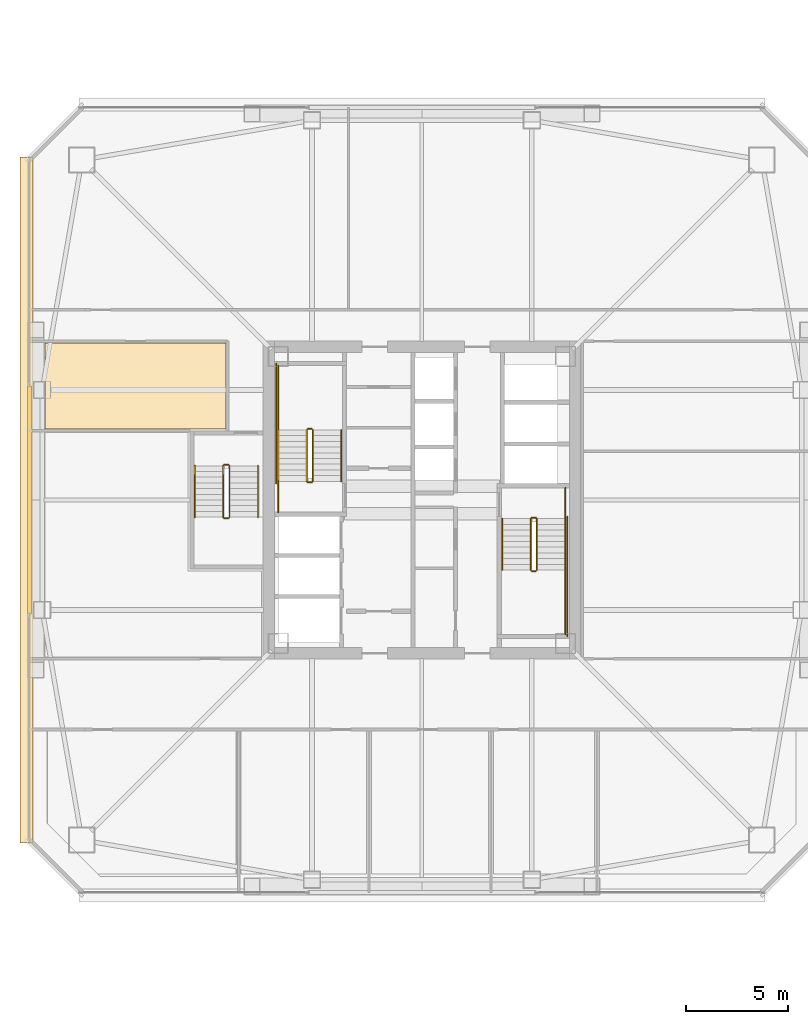
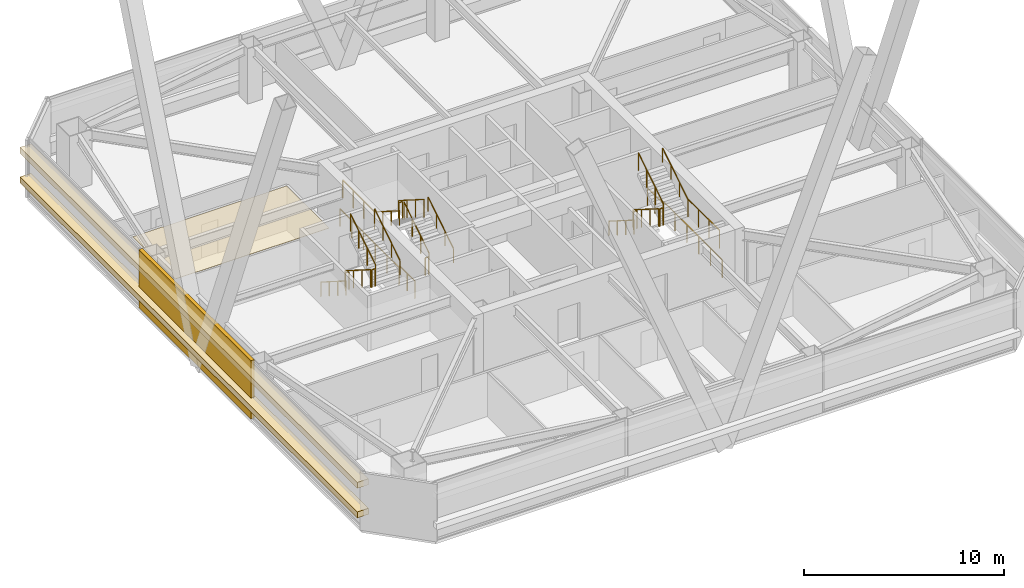
# One storey, part 46 of 50: 24 railings, 4 coverings.
"""IFC4 building model written with IfcOpenShell, lengths in metres."""

from ifc_helpers import new_model, si_unit, direction, frame, origin, origin_2d, place, context, subcontext, project, spatial, polyline, rectangle, outline, extrude, material, layer, layer_set, type_object, element, save


model = new_model("IFC4")

# Units and contexts
model_context = context("Model", 3, precision=1e-05, world=origin(), true_north=direction((0.0, 1.0)))
body_context = subcontext(model_context, "Body", "Model", "MODEL_VIEW")
ifc_project = project(units=[si_unit("LENGTHUNIT", "METRE"), si_unit("AREAUNIT", "SQUARE_METRE"), si_unit("VOLUMEUNIT", "CUBIC_METRE"), si_unit("PLANEANGLEUNIT", "RADIAN"), si_unit("MASSUNIT", "GRAM", prefix="KILO")], contexts=[model_context])

# Site, building, storey
site_placement = place(None, origin())
site = spatial("IfcSite", under=ifc_project, at=site_placement, CompositionType="ELEMENT")
building_placement = place(site_placement, origin())
building = spatial("IfcBuilding", under=site, at=building_placement, Name="Tashvorn Skyway Center", CompositionType="ELEMENT")
storey_placement = place(building_placement, frame((0.0, 0.0, 114.39990234375)))
storey = spatial("IfcBuildingStorey", under=building, at=storey_placement, Name="L30", CompositionType="ELEMENT", Elevation=114.39990234375)

# Coverings
ifc_material_1 = material(Name="Precast concrete C40/50", Category="concrete")
ifc_layer_1 = layer(ifc_material_1, 0.199951171875)
ifc_layer_set_1 = layer_set([ifc_layer_1], Name="Precast concrete C40/50")
covering_type_1 = type_object("IfcCoveringType", Name="COV-BRACE-CLAD", PredefinedType="CLADDING", material=ifc_layer_set_1)
covering_1_placement = place(storey_placement, frame((22.719970703125, 32.0, 0.0), z_axis=(0.0, 0.0, 1.0), x_axis=(0.0, 1.0, 0.0)))
element("IfcCovering", 1, at=covering_1_placement, inside=storey, type_object=covering_type_1, Name="Tower 1 L30 West Unitised Curtain Wall Mega-Brace Cladding Band 1", PredefinedType="CLADDING", context=body_context, shape_type="SweptSolid", body=[
    extrude(rectangle(XDim=11.1865234375, YDim=0.199951171875, at=origin_2d()), origin(), (0.0, 0.0, 1.0), 3.550048828125),
])
ifc_material_2 = material(Name="Mineral-fibre acoustic ceiling tile on suspended grid")
ifc_layer_2 = layer(ifc_material_2, 0.02001953125)
ifc_layer_set_2 = layer_set([ifc_layer_2], Name="Mineral-fibre acoustic ceiling tile on suspended grid")
covering_type_2 = type_object("IfcCoveringType", Name="COV-CEIL-20", PredefinedType="CEILING", material=ifc_layer_set_2)
covering_2_placement = place(storey_placement, frame((0.0, 0.0, 2.703125)))
element("IfcCovering", 2, at=covering_2_placement, inside=storey, type_object=covering_type_2, Name="Tower 1 L30 Reading Lounge Acoustic Ceiling", PredefinedType="CEILING", context=body_context, shape_type="SweptSolid", body=[
    extrude(outline(polyline([(32.3701171875, 39.719970703125), (32.3701171875, 35.47998046875), (23.5, 35.47998046875), (23.5, 39.719970703125), (32.3701171875, 39.719970703125)])), origin(), (0.0, 0.0, 1.0), 0.02001953125),
])
ifc_material_3 = material(Name="Perforated ceramic-coated bronze aluminium solar screen", Category="aluminium")
ifc_layer_3 = layer(ifc_material_3, 0.85009765625)
ifc_layer_set_3 = layer_set([ifc_layer_3], Name="Perforated ceramic-coated bronze aluminium solar screen")
covering_type_3 = type_object("IfcCoveringType", Name="COV-SOLAR-BAND", PredefinedType="CLADDING", material=ifc_layer_set_3)
for number, where, z_axis, x_axis, name in (
    (3, (22.580078125, 32.0, 0.919921875), (0.0, 0.0, 1.0), (0.0, 1.0, 0.0), "L30 Perforated Ceramic-Metal Solar Screen Louvre Band West 1"),
    (4, (22.580078125, 32.0, 2.72021484375), (0.0, 0.0, 1.0), (0.0, 1.0, 0.0), "L30 Perforated Ceramic-Metal Solar Screen Louvre Band West 2"),
):
    element("IfcCovering", number, at=place(storey_placement, frame(where, z_axis=z_axis, x_axis=x_axis)), inside=storey, type_object=covering_type_3, Name=name, PredefinedType="CLADDING", context=body_context, shape_type="SweptSolid", body=[
        extrude(rectangle(XDim=33.679931640625, YDim=0.639892578125, at=origin_2d()), origin(), (0.0, 0.0, 1.0), 0.360107421875),
    ])

# Railings
ifc_material_4 = material(Name="Brushed stainless steel 316", Category="steel")
railing_type_1 = type_object("IfcRailingType", Name="RAIL-HAND-920", PredefinedType="HANDRAIL", material=ifc_material_4)
railing_1_placement = place(storey_placement, frame((38.050048828125, 32.919921875, 0.177490234375)))
element("IfcRailing", 5, at=railing_1_placement, inside=storey, type_object=railing_type_1, Name="L30 ST-T1-1 stair handrail 1", PredefinedType="HANDRAIL", context=body_context, shape_type="SweptSolid", body=[
    extrude(rectangle(XDim=0.048095703125, YDim=0.048095703125, at=origin_2d()), frame((0.0, 0.0, 0.8759765625), z_axis=(0.0, 0.84456994832, 0.535445237532), x_axis=(-1.0, 0.0, 0.0)), (0.0, 0.0, 1.0), 2.98388671875),
    extrude(rectangle(XDim=0.0419921875, YDim=0.0419921875, at=origin_2d()), origin(), (0.0, 0.0, 1.0), 0.851806640625),
    extrude(rectangle(XDim=0.0419921875, YDim=0.0419921875, at=origin_2d()), frame((0.0, 0.840087890625, 0.532470703125)), (0.0, 0.0, 1.0), 0.851806640625),
    extrude(rectangle(XDim=0.0419921875, YDim=0.0419921875, at=origin_2d()), frame((0.0, 1.679931640625, 1.065185546875)), (0.0, 0.0, 1.0), 0.851806640625),
    extrude(rectangle(XDim=0.0419921875, YDim=0.0419921875, at=origin_2d()), frame((0.0, 2.52001953125, 1.59765625)), (0.0, 0.0, 1.0), 0.851806640625),
])
railing_2_placement = place(storey_placement, frame((34.949951171875, 35.43994140625, 1.95263671875)))
element("IfcRailing", 6, at=railing_2_placement, inside=storey, type_object=railing_type_1, Name="L30 ST-T1-1 stair handrail 2", PredefinedType="HANDRAIL", context=body_context, shape_type="SweptSolid", body=[
    extrude(rectangle(XDim=0.048095703125, YDim=0.048095703125, at=origin_2d()), frame((0.0, 0.0, 0.8759765625), z_axis=(0.0, -0.84460694969, 0.535386869969), x_axis=(1.0, 0.0, 0.0)), (0.0, 0.0, 1.0), 2.983642578125),
    extrude(rectangle(XDim=0.0419921875, YDim=0.0419921875, at=origin_2d()), origin(), (0.0, 0.0, 1.0), 0.851806640625),
    extrude(rectangle(XDim=0.0419921875, YDim=0.0419921875, at=origin_2d()), frame((0.0, -0.840087890625, 0.532470703125)), (0.0, 0.0, 1.0), 0.851806640625),
    extrude(rectangle(XDim=0.0419921875, YDim=0.0419921875, at=origin_2d()), frame((0.0, -1.679931640625, 1.06494140625)), (0.0, 0.0, 1.0), 0.851806640625),
    extrude(rectangle(XDim=0.0419921875, YDim=0.0419921875, at=origin_2d()), frame((0.0, -2.52001953125, 1.597412109375)), (0.0, 0.0, 1.0), 0.851806640625),
])
railing_3_placement = place(storey_placement, frame((45.949951171875, 31.080078125, 0.177490234375)))
element("IfcRailing", 7, at=railing_3_placement, inside=storey, type_object=railing_type_1, Name="L30 ST-T1-2 stair handrail 1", PredefinedType="HANDRAIL", context=body_context, shape_type="SweptSolid", body=[
    extrude(rectangle(XDim=0.048095703125, YDim=0.048095703125, at=origin_2d()), frame((0.0, 0.0, 0.8759765625), z_axis=(0.0, -0.84456994832, 0.535445237532), x_axis=(1.0, 0.0, 0.0)), (0.0, 0.0, 1.0), 2.98388671875),
    extrude(rectangle(XDim=0.0419921875, YDim=0.0419921875, at=origin_2d()), origin(), (0.0, 0.0, 1.0), 0.851806640625),
    extrude(rectangle(XDim=0.0419921875, YDim=0.0419921875, at=origin_2d()), frame((0.0, -0.840087890625, 0.532470703125)), (0.0, 0.0, 1.0), 0.851806640625),
    extrude(rectangle(XDim=0.0419921875, YDim=0.0419921875, at=origin_2d()), frame((0.0, -1.679931640625, 1.065185546875)), (0.0, 0.0, 1.0), 0.851806640625),
    extrude(rectangle(XDim=0.0419921875, YDim=0.0419921875, at=origin_2d()), frame((0.0, -2.52001953125, 1.59765625)), (0.0, 0.0, 1.0), 0.851806640625),
])
railing_4_placement = place(storey_placement, frame((49.050048828125, 28.56005859375, 1.95263671875)))
element("IfcRailing", 8, at=railing_4_placement, inside=storey, type_object=railing_type_1, Name="L30 ST-T1-2 stair handrail 2", PredefinedType="HANDRAIL", context=body_context, shape_type="SweptSolid", body=[
    extrude(rectangle(XDim=0.048095703125, YDim=0.048095703125, at=origin_2d()), frame((0.0, 0.0, 0.8759765625), z_axis=(0.0, 0.84460694969, 0.535386869969), x_axis=(-1.0, 0.0, 0.0)), (0.0, 0.0, 1.0), 2.983642578125),
    extrude(rectangle(XDim=0.0419921875, YDim=0.0419921875, at=origin_2d()), origin(), (0.0, 0.0, 1.0), 0.851806640625),
    extrude(rectangle(XDim=0.0419921875, YDim=0.0419921875, at=origin_2d()), frame((0.0, 0.840087890625, 0.532470703125)), (0.0, 0.0, 1.0), 0.851806640625),
    extrude(rectangle(XDim=0.0419921875, YDim=0.0419921875, at=origin_2d()), frame((0.0, 1.679931640625, 1.06494140625)), (0.0, 0.0, 1.0), 0.851806640625),
    extrude(rectangle(XDim=0.0419921875, YDim=0.0419921875, at=origin_2d()), frame((0.0, 2.52001953125, 1.597412109375)), (0.0, 0.0, 1.0), 0.851806640625),
])
railing_5_placement = place(storey_placement, frame((30.85009765625, 33.679931640625, 0.177490234375)))
element("IfcRailing", 9, at=railing_5_placement, inside=storey, type_object=railing_type_1, Name="L30 ST-T1-3 stair handrail 1", PredefinedType="HANDRAIL", context=body_context, shape_type="SweptSolid", body=[
    extrude(rectangle(XDim=0.048095703125, YDim=0.048095703125, at=origin_2d()), frame((0.0, 0.0, 0.8759765625), z_axis=(0.0, -0.84456994832, 0.535445237532), x_axis=(1.0, 0.0, 0.0)), (0.0, 0.0, 1.0), 2.98388671875),
    extrude(rectangle(XDim=0.0419921875, YDim=0.0419921875, at=origin_2d()), origin(), (0.0, 0.0, 1.0), 0.851806640625),
    extrude(rectangle(XDim=0.0419921875, YDim=0.0419921875, at=origin_2d()), frame((0.0, -0.840087890625, 0.532470703125)), (0.0, 0.0, 1.0), 0.851806640625),
    extrude(rectangle(XDim=0.0419921875, YDim=0.0419921875, at=origin_2d()), frame((0.0, -1.679931640625, 1.065185546875)), (0.0, 0.0, 1.0), 0.851806640625),
    extrude(rectangle(XDim=0.0419921875, YDim=0.0419921875, at=origin_2d()), frame((0.0, -2.52001953125, 1.59765625)), (0.0, 0.0, 1.0), 0.851806640625),
])
railing_6_placement = place(storey_placement, frame((33.949951171875, 31.159912109375, 1.95263671875)))
element("IfcRailing", 10, at=railing_6_placement, inside=storey, type_object=railing_type_1, Name="L30 ST-T1-3 stair handrail 2", PredefinedType="HANDRAIL", context=body_context, shape_type="SweptSolid", body=[
    extrude(rectangle(XDim=0.048095703125, YDim=0.048095703125, at=origin_2d()), frame((0.0, 0.0, 0.8759765625), z_axis=(0.0, 0.84460694969, 0.535386869969), x_axis=(-1.0, 0.0, 0.0)), (0.0, 0.0, 1.0), 2.983642578125),
    extrude(rectangle(XDim=0.0419921875, YDim=0.0419921875, at=origin_2d()), origin(), (0.0, 0.0, 1.0), 0.851806640625),
    extrude(rectangle(XDim=0.0419921875, YDim=0.0419921875, at=origin_2d()), frame((0.0, 0.840087890625, 0.532470703125)), (0.0, 0.0, 1.0), 0.851806640625),
    extrude(rectangle(XDim=0.0419921875, YDim=0.0419921875, at=origin_2d()), frame((0.0, 1.679931640625, 1.06494140625)), (0.0, 0.0, 1.0), 0.851806640625),
    extrude(rectangle(XDim=0.0419921875, YDim=0.0419921875, at=origin_2d()), frame((0.0, 2.52001953125, 1.597412109375)), (0.0, 0.0, 1.0), 0.851806640625),
])
ifc_material_5 = material(Name="Painted galvanized steel S355", Category="steel")
railing_type_2 = type_object("IfcRailingType", Name="RAIL-STGUARD-1100", PredefinedType="GUARDRAIL", material=ifc_material_5)
railing_7_placement = place(storey_placement, frame((36.64990234375, 32.919921875, 0.177490234375)))
element("IfcRailing", 11, at=railing_7_placement, inside=storey, type_object=railing_type_2, Name="L30 ST-T1-1 stair guard 1", PredefinedType="GUARDRAIL", context=body_context, shape_type="SweptSolid", body=[
    extrude(rectangle(XDim=0.048095703125, YDim=0.048095703125, at=origin_2d()), frame((0.0, 0.0, 1.076171875), z_axis=(0.0, 0.84456994832, 0.535445237532), x_axis=(-1.0, 0.0, 0.0)), (0.0, 0.0, 1.0), 2.98388671875),
    extrude(rectangle(XDim=0.0419921875, YDim=0.0419921875, at=origin_2d()), origin(), (0.0, 0.0, 1.0), 1.052001953125),
    extrude(rectangle(XDim=0.0419921875, YDim=0.0419921875, at=origin_2d()), frame((0.0, 0.840087890625, 0.532470703125)), (0.0, 0.0, 1.0), 1.052001953125),
    extrude(rectangle(XDim=0.0419921875, YDim=0.0419921875, at=origin_2d()), frame((0.0, 1.679931640625, 1.065185546875)), (0.0, 0.0, 1.0), 1.052001953125),
    extrude(rectangle(XDim=0.0419921875, YDim=0.0419921875, at=origin_2d()), frame((0.0, 2.52001953125, 1.59765625)), (0.0, 0.0, 1.0), 1.052001953125),
])
railing_8_placement = place(storey_placement, frame((36.60009765625, 35.489990234375, 1.775146484375)))
element("IfcRailing", 12, at=railing_8_placement, inside=storey, type_object=railing_type_2, Name="L30 ST-T1-1 stair guard 2", PredefinedType="GUARDRAIL", context=body_context, shape_type="SweptSolid", body=[
    extrude(rectangle(XDim=0.048095703125, YDim=0.048095703125, at=origin_2d()), frame((0.0, 0.0, 1.076171875), z_axis=(-1.0, 0.0, 0.0), x_axis=(0.0, -1.0, 0.0)), (0.0, 0.0, 1.0), 0.2001953125),
    extrude(rectangle(XDim=0.0419921875, YDim=0.0419921875, at=origin_2d()), origin(), (0.0, 0.0, 1.0), 1.052001953125),
    extrude(rectangle(XDim=0.0419921875, YDim=0.0419921875, at=origin_2d()), frame((-0.2001953125, 0.0, 0.0)), (0.0, 0.0, 1.0), 1.052001953125),
])
railing_9_placement = place(storey_placement, frame((34.949951171875, 35.43994140625, 1.775146484375)))
element("IfcRailing", 13, at=railing_9_placement, inside=storey, type_object=railing_type_2, Name="L30 ST-T1-1 stair guard 3", PredefinedType="GUARDRAIL", context=body_context, shape_type="SweptSolid", body=[
    extrude(rectangle(XDim=0.048095703125, YDim=0.048095703125, at=origin_2d()), frame((0.0, 0.0, 1.076171875), z_axis=(0.0, 1.0, 0.0), x_axis=(-1.0, 0.0, 0.0)), (0.0, 0.0, 1.0), 3.16015625),
    extrude(rectangle(XDim=0.0419921875, YDim=0.0419921875, at=origin_2d()), origin(), (0.0, 0.0, 1.0), 1.052001953125),
    extrude(rectangle(XDim=0.0419921875, YDim=0.0419921875, at=origin_2d()), frame((0.0, 1.053466796875, 0.0)), (0.0, 0.0, 1.0), 1.052001953125),
    extrude(rectangle(XDim=0.0419921875, YDim=0.0419921875, at=origin_2d()), frame((0.0, 2.106689453125, 0.0)), (0.0, 0.0, 1.0), 1.052001953125),
    extrude(rectangle(XDim=0.0419921875, YDim=0.0419921875, at=origin_2d()), frame((0.0, 3.16015625, 0.0)), (0.0, 0.0, 1.0), 1.052001953125),
])
railing_10_placement = place(storey_placement, frame((36.35009765625, 35.43994140625, 1.95263671875)))
element("IfcRailing", 14, at=railing_10_placement, inside=storey, type_object=railing_type_2, Name="L30 ST-T1-1 stair guard 4", PredefinedType="GUARDRAIL", context=body_context, shape_type="SweptSolid", body=[
    extrude(rectangle(XDim=0.048095703125, YDim=0.048095703125, at=origin_2d()), frame((0.0, 0.0, 1.076171875), z_axis=(0.0, -0.84460694969, 0.535386869969), x_axis=(1.0, 0.0, 0.0)), (0.0, 0.0, 1.0), 2.983642578125),
    extrude(rectangle(XDim=0.0419921875, YDim=0.0419921875, at=origin_2d()), origin(), (0.0, 0.0, 1.0), 1.052001953125),
    extrude(rectangle(XDim=0.0419921875, YDim=0.0419921875, at=origin_2d()), frame((0.0, -0.840087890625, 0.532470703125)), (0.0, 0.0, 1.0), 1.052001953125),
    extrude(rectangle(XDim=0.0419921875, YDim=0.0419921875, at=origin_2d()), frame((0.0, -1.679931640625, 1.06494140625)), (0.0, 0.0, 1.0), 1.052001953125),
    extrude(rectangle(XDim=0.0419921875, YDim=0.0419921875, at=origin_2d()), frame((0.0, -2.52001953125, 1.597412109375)), (0.0, 0.0, 1.0), 1.052001953125),
])
railing_11_placement = place(storey_placement, frame((36.60009765625, 32.8701171875, 0.0)))
element("IfcRailing", 15, at=railing_11_placement, inside=storey, type_object=railing_type_2, Name="L30 ST-T1-1 stair guard 5", PredefinedType="GUARDRAIL", context=body_context, shape_type="SweptSolid", body=[
    extrude(rectangle(XDim=0.048095703125, YDim=0.048095703125, at=origin_2d()), frame((0.0, 0.0, 1.076171875), z_axis=(-1.0, 0.0, 0.0), x_axis=(0.0, -1.0, 0.0)), (0.0, 0.0, 1.0), 0.2001953125),
    extrude(rectangle(XDim=0.0419921875, YDim=0.0419921875, at=origin_2d()), origin(), (0.0, 0.0, 1.0), 1.052001953125),
    extrude(rectangle(XDim=0.0419921875, YDim=0.0419921875, at=origin_2d()), frame((-0.2001953125, 0.0, 0.0)), (0.0, 0.0, 1.0), 1.052001953125),
])
railing_12_placement = place(storey_placement, frame((34.949951171875, 31.39990234375, 0.0)))
element("IfcRailing", 16, at=railing_12_placement, inside=storey, type_object=railing_type_2, Name="L30 ST-T1-1 stair guard 6", PredefinedType="GUARDRAIL", context=body_context, shape_type="SweptSolid", body=[
    extrude(rectangle(XDim=0.048095703125, YDim=0.048095703125, at=origin_2d()), frame((0.0, 0.0, 1.076171875), z_axis=(0.0, 1.0, 0.0), x_axis=(-1.0, 0.0, 0.0)), (0.0, 0.0, 1.0), 1.52001953125),
    extrude(rectangle(XDim=0.0419921875, YDim=0.0419921875, at=origin_2d()), origin(), (0.0, 0.0, 1.0), 1.052001953125),
    extrude(rectangle(XDim=0.0419921875, YDim=0.0419921875, at=origin_2d()), frame((0.0, 0.760009765625, 0.0)), (0.0, 0.0, 1.0), 1.052001953125),
    extrude(rectangle(XDim=0.0419921875, YDim=0.0419921875, at=origin_2d()), frame((0.0, 1.52001953125, 0.0)), (0.0, 0.0, 1.0), 1.052001953125),
])
railing_13_placement = place(storey_placement, frame((34.85009765625, 32.820068359375, 0.0)))
element("IfcRailing", 17, at=railing_13_placement, inside=storey, type_object=railing_type_2, Name="L30 ST-T1-1 stair guard 7", PredefinedType="GUARDRAIL", context=body_context, shape_type="SweptSolid", body=[
    extrude(rectangle(XDim=0.048095703125, YDim=0.048095703125, at=origin_2d()), frame((0.0, 0.0, 1.076171875), z_axis=(0.0, 1.0, 0.0), x_axis=(-1.0, 0.0, 0.0)), (0.0, 0.0, 1.0), 5.8798828125),
    extrude(rectangle(XDim=0.0419921875, YDim=0.0419921875, at=origin_2d()), origin(), (0.0, 0.0, 1.0), 1.052001953125),
    extrude(rectangle(XDim=0.0419921875, YDim=0.0419921875, at=origin_2d()), frame((0.0, 1.176025390625, 0.0)), (0.0, 0.0, 1.0), 1.052001953125),
    extrude(rectangle(XDim=0.0419921875, YDim=0.0419921875, at=origin_2d()), frame((0.0, 2.35205078125, 0.0)), (0.0, 0.0, 1.0), 1.052001953125),
    extrude(rectangle(XDim=0.0419921875, YDim=0.0419921875, at=origin_2d()), frame((0.0, 3.52783203125, 0.0)), (0.0, 0.0, 1.0), 1.052001953125),
    extrude(rectangle(XDim=0.0419921875, YDim=0.0419921875, at=origin_2d()), frame((0.0, 4.703857421875, 0.0)), (0.0, 0.0, 1.0), 1.052001953125),
    extrude(rectangle(XDim=0.0419921875, YDim=0.0419921875, at=origin_2d()), frame((0.0, 5.8798828125, 0.0)), (0.0, 0.0, 1.0), 1.052001953125),
])
railing_14_placement = place(storey_placement, frame((47.35009765625, 31.080078125, 0.177490234375)))
element("IfcRailing", 18, at=railing_14_placement, inside=storey, type_object=railing_type_2, Name="L30 ST-T1-2 stair guard 1", PredefinedType="GUARDRAIL", context=body_context, shape_type="SweptSolid", body=[
    extrude(rectangle(XDim=0.048095703125, YDim=0.048095703125, at=origin_2d()), frame((0.0, 0.0, 1.076171875), z_axis=(0.0, -0.84456994832, 0.535445237532), x_axis=(1.0, 0.0, 0.0)), (0.0, 0.0, 1.0), 2.98388671875),
    extrude(rectangle(XDim=0.0419921875, YDim=0.0419921875, at=origin_2d()), origin(), (0.0, 0.0, 1.0), 1.052001953125),
    extrude(rectangle(XDim=0.0419921875, YDim=0.0419921875, at=origin_2d()), frame((0.0, -0.840087890625, 0.532470703125)), (0.0, 0.0, 1.0), 1.052001953125),
    extrude(rectangle(XDim=0.0419921875, YDim=0.0419921875, at=origin_2d()), frame((0.0, -1.679931640625, 1.065185546875)), (0.0, 0.0, 1.0), 1.052001953125),
    extrude(rectangle(XDim=0.0419921875, YDim=0.0419921875, at=origin_2d()), frame((0.0, -2.52001953125, 1.59765625)), (0.0, 0.0, 1.0), 1.052001953125),
])
railing_15_placement = place(storey_placement, frame((47.39990234375, 28.510009765625, 1.775146484375)))
element("IfcRailing", 19, at=railing_15_placement, inside=storey, type_object=railing_type_2, Name="L30 ST-T1-2 stair guard 2", PredefinedType="GUARDRAIL", context=body_context, shape_type="SweptSolid", body=[
    extrude(rectangle(XDim=0.048095703125, YDim=0.048095703125, at=origin_2d()), frame((0.0, 0.0, 1.076171875), z_axis=(1.0, 0.0, 0.0), x_axis=(0.0, 1.0, 0.0)), (0.0, 0.0, 1.0), 0.2001953125),
    extrude(rectangle(XDim=0.0419921875, YDim=0.0419921875, at=origin_2d()), origin(), (0.0, 0.0, 1.0), 1.052001953125),
    extrude(rectangle(XDim=0.0419921875, YDim=0.0419921875, at=origin_2d()), frame((0.2001953125, 0.0, 0.0)), (0.0, 0.0, 1.0), 1.052001953125),
])
railing_16_placement = place(storey_placement, frame((49.050048828125, 28.56005859375, 1.775146484375)))
element("IfcRailing", 20, at=railing_16_placement, inside=storey, type_object=railing_type_2, Name="L30 ST-T1-2 stair guard 3", PredefinedType="GUARDRAIL", context=body_context, shape_type="SweptSolid", body=[
    extrude(rectangle(XDim=0.048095703125, YDim=0.048095703125, at=origin_2d()), frame((0.0, 0.0, 1.076171875), z_axis=(0.0, -1.0, 0.0), x_axis=(1.0, 0.0, 0.0)), (0.0, 0.0, 1.0), 3.16015625),
    extrude(rectangle(XDim=0.0419921875, YDim=0.0419921875, at=origin_2d()), origin(), (0.0, 0.0, 1.0), 1.052001953125),
    extrude(rectangle(XDim=0.0419921875, YDim=0.0419921875, at=origin_2d()), frame((0.0, -1.053466796875, 0.0)), (0.0, 0.0, 1.0), 1.052001953125),
    extrude(rectangle(XDim=0.0419921875, YDim=0.0419921875, at=origin_2d()), frame((0.0, -2.106689453125, 0.0)), (0.0, 0.0, 1.0), 1.052001953125),
    extrude(rectangle(XDim=0.0419921875, YDim=0.0419921875, at=origin_2d()), frame((0.0, -3.16015625, 0.0)), (0.0, 0.0, 1.0), 1.052001953125),
])
railing_17_placement = place(storey_placement, frame((47.64990234375, 28.56005859375, 1.95263671875)))
element("IfcRailing", 21, at=railing_17_placement, inside=storey, type_object=railing_type_2, Name="L30 ST-T1-2 stair guard 4", PredefinedType="GUARDRAIL", context=body_context, shape_type="SweptSolid", body=[
    extrude(rectangle(XDim=0.048095703125, YDim=0.048095703125, at=origin_2d()), frame((0.0, 0.0, 1.076171875), z_axis=(0.0, 0.84460694969, 0.535386869969), x_axis=(-1.0, 0.0, 0.0)), (0.0, 0.0, 1.0), 2.983642578125),
    extrude(rectangle(XDim=0.0419921875, YDim=0.0419921875, at=origin_2d()), origin(), (0.0, 0.0, 1.0), 1.052001953125),
    extrude(rectangle(XDim=0.0419921875, YDim=0.0419921875, at=origin_2d()), frame((0.0, 0.840087890625, 0.532470703125)), (0.0, 0.0, 1.0), 1.052001953125),
    extrude(rectangle(XDim=0.0419921875, YDim=0.0419921875, at=origin_2d()), frame((0.0, 1.679931640625, 1.06494140625)), (0.0, 0.0, 1.0), 1.052001953125),
    extrude(rectangle(XDim=0.0419921875, YDim=0.0419921875, at=origin_2d()), frame((0.0, 2.52001953125, 1.597412109375)), (0.0, 0.0, 1.0), 1.052001953125),
])
railing_18_placement = place(storey_placement, frame((47.39990234375, 31.1298828125, 0.0)))
element("IfcRailing", 22, at=railing_18_placement, inside=storey, type_object=railing_type_2, Name="L30 ST-T1-2 stair guard 5", PredefinedType="GUARDRAIL", context=body_context, shape_type="SweptSolid", body=[
    extrude(rectangle(XDim=0.048095703125, YDim=0.048095703125, at=origin_2d()), frame((0.0, 0.0, 1.076171875), z_axis=(1.0, 0.0, 0.0), x_axis=(0.0, 1.0, 0.0)), (0.0, 0.0, 1.0), 0.2001953125),
    extrude(rectangle(XDim=0.0419921875, YDim=0.0419921875, at=origin_2d()), origin(), (0.0, 0.0, 1.0), 1.052001953125),
    extrude(rectangle(XDim=0.0419921875, YDim=0.0419921875, at=origin_2d()), frame((0.2001953125, 0.0, 0.0)), (0.0, 0.0, 1.0), 1.052001953125),
])
railing_19_placement = place(storey_placement, frame((49.050048828125, 32.60009765625, 0.0)))
element("IfcRailing", 23, at=railing_19_placement, inside=storey, type_object=railing_type_2, Name="L30 ST-T1-2 stair guard 6", PredefinedType="GUARDRAIL", context=body_context, shape_type="SweptSolid", body=[
    extrude(rectangle(XDim=0.048095703125, YDim=0.048095703125, at=origin_2d()), frame((0.0, 0.0, 1.076171875), z_axis=(0.0, -1.0, 0.0), x_axis=(1.0, 0.0, 0.0)), (0.0, 0.0, 1.0), 1.52001953125),
    extrude(rectangle(XDim=0.0419921875, YDim=0.0419921875, at=origin_2d()), origin(), (0.0, 0.0, 1.0), 1.052001953125),
    extrude(rectangle(XDim=0.0419921875, YDim=0.0419921875, at=origin_2d()), frame((0.0, -0.760009765625, 0.0)), (0.0, 0.0, 1.0), 1.052001953125),
    extrude(rectangle(XDim=0.0419921875, YDim=0.0419921875, at=origin_2d()), frame((0.0, -1.52001953125, 0.0)), (0.0, 0.0, 1.0), 1.052001953125),
])
railing_20_placement = place(storey_placement, frame((49.14990234375, 31.179931640625, 0.0)))
element("IfcRailing", 24, at=railing_20_placement, inside=storey, type_object=railing_type_2, Name="L30 ST-T1-2 stair guard 7", PredefinedType="GUARDRAIL", context=body_context, shape_type="SweptSolid", body=[
    extrude(rectangle(XDim=0.048095703125, YDim=0.048095703125, at=origin_2d()), frame((0.0, 0.0, 1.076171875), z_axis=(0.0, -1.0, 0.0), x_axis=(1.0, 0.0, 0.0)), (0.0, 0.0, 1.0), 5.8798828125),
    extrude(rectangle(XDim=0.0419921875, YDim=0.0419921875, at=origin_2d()), origin(), (0.0, 0.0, 1.0), 1.052001953125),
    extrude(rectangle(XDim=0.0419921875, YDim=0.0419921875, at=origin_2d()), frame((0.0, -1.176025390625, 0.0)), (0.0, 0.0, 1.0), 1.052001953125),
    extrude(rectangle(XDim=0.0419921875, YDim=0.0419921875, at=origin_2d()), frame((0.0, -2.35205078125, 0.0)), (0.0, 0.0, 1.0), 1.052001953125),
    extrude(rectangle(XDim=0.0419921875, YDim=0.0419921875, at=origin_2d()), frame((0.0, -3.52783203125, 0.0)), (0.0, 0.0, 1.0), 1.052001953125),
    extrude(rectangle(XDim=0.0419921875, YDim=0.0419921875, at=origin_2d()), frame((0.0, -4.703857421875, 0.0)), (0.0, 0.0, 1.0), 1.052001953125),
    extrude(rectangle(XDim=0.0419921875, YDim=0.0419921875, at=origin_2d()), frame((0.0, -5.8798828125, 0.0)), (0.0, 0.0, 1.0), 1.052001953125),
])
railing_21_placement = place(storey_placement, frame((32.25, 33.679931640625, 0.177490234375)))
element("IfcRailing", 25, at=railing_21_placement, inside=storey, type_object=railing_type_2, Name="L30 ST-T1-3 stair guard 1", PredefinedType="GUARDRAIL", context=body_context, shape_type="SweptSolid", body=[
    extrude(rectangle(XDim=0.048095703125, YDim=0.048095703125, at=origin_2d()), frame((0.0, 0.0, 1.076171875), z_axis=(0.0, -0.84456994832, 0.535445237532), x_axis=(1.0, 0.0, 0.0)), (0.0, 0.0, 1.0), 2.98388671875),
    extrude(rectangle(XDim=0.0419921875, YDim=0.0419921875, at=origin_2d()), origin(), (0.0, 0.0, 1.0), 1.052001953125),
    extrude(rectangle(XDim=0.0419921875, YDim=0.0419921875, at=origin_2d()), frame((0.0, -0.840087890625, 0.532470703125)), (0.0, 0.0, 1.0), 1.052001953125),
    extrude(rectangle(XDim=0.0419921875, YDim=0.0419921875, at=origin_2d()), frame((0.0, -1.679931640625, 1.065185546875)), (0.0, 0.0, 1.0), 1.052001953125),
    extrude(rectangle(XDim=0.0419921875, YDim=0.0419921875, at=origin_2d()), frame((0.0, -2.52001953125, 1.59765625)), (0.0, 0.0, 1.0), 1.052001953125),
])
railing_22_placement = place(storey_placement, frame((32.300048828125, 31.110107421875, 1.775146484375)))
element("IfcRailing", 26, at=railing_22_placement, inside=storey, type_object=railing_type_2, Name="L30 ST-T1-3 stair guard 2", PredefinedType="GUARDRAIL", context=body_context, shape_type="SweptSolid", body=[
    extrude(rectangle(XDim=0.048095703125, YDim=0.048095703125, at=origin_2d()), frame((0.0, 0.0, 1.076171875), z_axis=(1.0, 0.0, 0.0), x_axis=(0.0, 1.0, 0.0)), (0.0, 0.0, 1.0), 0.199951171875),
    extrude(rectangle(XDim=0.0419921875, YDim=0.0419921875, at=origin_2d()), origin(), (0.0, 0.0, 1.0), 1.052001953125),
    extrude(rectangle(XDim=0.0419921875, YDim=0.0419921875, at=origin_2d()), frame((0.199951171875, 0.0, 0.0)), (0.0, 0.0, 1.0), 1.052001953125),
])
railing_23_placement = place(storey_placement, frame((32.550048828125, 31.159912109375, 1.95263671875)))
element("IfcRailing", 27, at=railing_23_placement, inside=storey, type_object=railing_type_2, Name="L30 ST-T1-3 stair guard 3", PredefinedType="GUARDRAIL", context=body_context, shape_type="SweptSolid", body=[
    extrude(rectangle(XDim=0.048095703125, YDim=0.048095703125, at=origin_2d()), frame((0.0, 0.0, 1.076171875), z_axis=(0.0, 0.84460694969, 0.535386869969), x_axis=(-1.0, 0.0, 0.0)), (0.0, 0.0, 1.0), 2.983642578125),
    extrude(rectangle(XDim=0.0419921875, YDim=0.0419921875, at=origin_2d()), origin(), (0.0, 0.0, 1.0), 1.052001953125),
    extrude(rectangle(XDim=0.0419921875, YDim=0.0419921875, at=origin_2d()), frame((0.0, 0.840087890625, 0.532470703125)), (0.0, 0.0, 1.0), 1.052001953125),
    extrude(rectangle(XDim=0.0419921875, YDim=0.0419921875, at=origin_2d()), frame((0.0, 1.679931640625, 1.06494140625)), (0.0, 0.0, 1.0), 1.052001953125),
    extrude(rectangle(XDim=0.0419921875, YDim=0.0419921875, at=origin_2d()), frame((0.0, 2.52001953125, 1.597412109375)), (0.0, 0.0, 1.0), 1.052001953125),
])
railing_24_placement = place(storey_placement, frame((32.300048828125, 33.72998046875, 0.0)))
element("IfcRailing", 28, at=railing_24_placement, inside=storey, type_object=railing_type_2, Name="L30 ST-T1-3 stair guard 4", PredefinedType="GUARDRAIL", context=body_context, shape_type="SweptSolid", body=[
    extrude(rectangle(XDim=0.048095703125, YDim=0.048095703125, at=origin_2d()), frame((0.0, 0.0, 1.076171875), z_axis=(1.0, 0.0, 0.0), x_axis=(0.0, 1.0, 0.0)), (0.0, 0.0, 1.0), 0.199951171875),
    extrude(rectangle(XDim=0.0419921875, YDim=0.0419921875, at=origin_2d()), origin(), (0.0, 0.0, 1.0), 1.052001953125),
    extrude(rectangle(XDim=0.0419921875, YDim=0.0419921875, at=origin_2d()), frame((0.199951171875, 0.0, 0.0)), (0.0, 0.0, 1.0), 1.052001953125),
])

save(model, "model.ifc")
